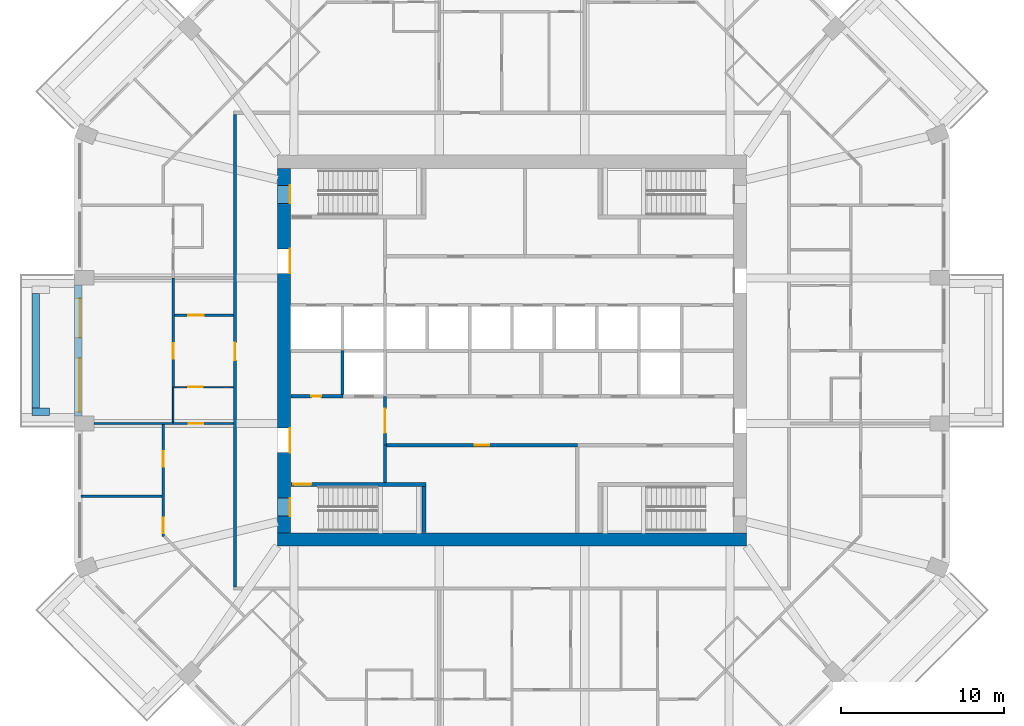
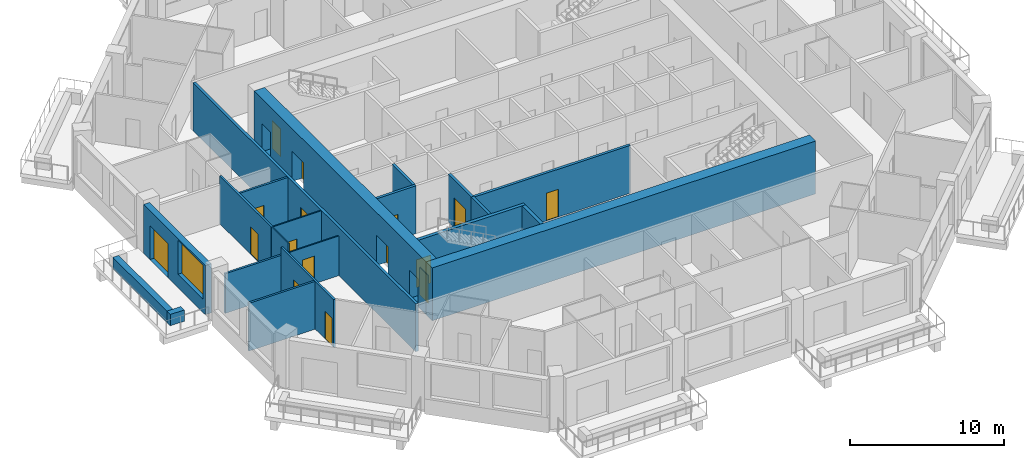
# One storey, part 4 of 13: 21 walls, 16 doors, 1 window, 17 openings.
"""IFC4 building model written with IfcOpenShell, lengths in metres."""

import ifcopenshell
import ifcopenshell.guid

model = None  # the IFC model being written
_history = None  # IfcOwnerHistory: only IFC2X3 demands one
_inside = {}  # id of a spatial element -> (the spatial element, [elements in it])
_under = {}  # id of a project, library or spatial element -> (it, [spatial elements below it])
_declared = {}  # id of a project -> (the project, [libraries it declares])
_typed = {}  # id of a type object -> (the type object, [elements of that type])
_made_of = {}  # id of a material, layer set ... -> (it, [elements and type objects made of it])


def new_model(schema):
    """Start an empty IFC model of exactly this schema.

    Asked for "IFC4X3", IfcOpenShell would pick the latest addendum, in which some entities
    have other attributes; the version numbers below select the first issue.
    IFC2X3 requires an IfcOwnerHistory on every rooted entity: one is made here for all.
    """
    global model, _history
    if schema == "IFC4X3":
        model = ifcopenshell.file(schema_version=(4, 3, 0, 0))
    else:
        model = ifcopenshell.file(schema=schema)
    _inside.clear()
    _under.clear()
    _declared.clear()
    _typed.clear()
    _made_of.clear()
    _history = None
    if model.schema == "IFC2X3":
        org = make("IfcOrganization", Name="unknown")
        user = make(
            "IfcPersonAndOrganization",
            ThePerson=make("IfcPerson", FamilyName="unknown"),
            TheOrganization=org,
        )
        app = make(
            "IfcApplication",
            ApplicationDeveloper=org,
            Version="unknown",
            ApplicationFullName="unknown",
            ApplicationIdentifier="unknown",
        )
        _history = make(
            "IfcOwnerHistory",
            OwningUser=user,
            OwningApplication=app,
            ChangeAction="ADDED",
            CreationDate=0,
        )
    return model


def make(cls, **values):
    """One entity of the class cls with the attributes given. An attribute that is None is left unset."""
    return model.create_entity(
        cls, **{name: value for name, value in values.items() if value is not None}
    )


def rooted(cls, **values):
    """An entity with a GlobalId (a new one), such as an element, a storey or a relation."""
    return make(cls, GlobalId=ifcopenshell.guid.new(), OwnerHistory=_history, **values)


def si_unit(unit_type, name, prefix=None):
    """IfcSIUnit, for example si_unit("LENGTHUNIT", "METRE", prefix="MILLI")."""
    return make("IfcSIUnit", UnitType=unit_type, Prefix=prefix, Name=name)


def assignment(units):
    """IfcUnitAssignment: the units of a project."""
    return None if units is None else make("IfcUnitAssignment", Units=units)


def point(xyz):
    """IfcCartesianPoint."""
    return None if xyz is None else make("IfcCartesianPoint", Coordinates=xyz)


def direction(xyz):
    """IfcDirection."""
    return None if xyz is None else make("IfcDirection", DirectionRatios=xyz)


def frame(location, z_axis=None, x_axis=None):
    """IfcAxis2Placement3D, a coordinate frame: its origin and axes. An axis left out is left unset."""
    return make(
        "IfcAxis2Placement3D",
        Location=point(location),
        Axis=direction(z_axis),
        RefDirection=direction(x_axis),
    )


def frame_2d(location, x_axis=None):
    """IfcAxis2Placement2D, a coordinate frame in the plane: its origin and x axis."""
    return make(
        "IfcAxis2Placement2D", Location=point(location), RefDirection=direction(x_axis)
    )


def origin():
    """The frame at (0, 0, 0) with its axes left unset."""
    return frame((0.0, 0.0, 0.0))


def place(relative_to, where):
    """IfcLocalPlacement: puts the frame where relative to a parent placement (None: the world)."""
    return make(
        "IfcLocalPlacement", PlacementRelTo=relative_to, RelativePlacement=where
    )


def context(
    kind, dimensions, precision=None, world=None, true_north=None, identifier=None
):
    """IfcGeometricRepresentationContext, for example the 3D "Model" context."""
    return make(
        "IfcGeometricRepresentationContext",
        ContextIdentifier=identifier,
        ContextType=kind,
        CoordinateSpaceDimension=dimensions,
        Precision=precision,
        WorldCoordinateSystem=world,
        TrueNorth=true_north,
    )


def subcontext(parent, identifier, kind, view, scale=None):
    """IfcGeometricRepresentationSubContext, for example "Body" below "Model"."""
    return make(
        "IfcGeometricRepresentationSubContext",
        ContextIdentifier=identifier,
        ContextType=kind,
        ParentContext=parent,
        TargetScale=scale,
        TargetView=view,
    )


def project(units=None, contexts=None):
    """IfcProject with its units and contexts."""
    return rooted(
        "IfcProject",
        Name="project",
        RepresentationContexts=contexts,
        UnitsInContext=assignment(units),
    )


def spatial(cls, under=None, at=None, **own):
    """A site, building, storey or space (cls), placed at a placement, below another one or the project."""
    s = rooted(cls, ObjectPlacement=at, **own)
    if under is not None:
        _under.setdefault(under.id(), (under, []))[1].append(s)
    return s


def profile(cls, at=None, kind="AREA", **sizes):
    """A parametric profile (cls). Its sizes go by their IFC names, for example OverallWidth=200.0."""
    return make(cls, ProfileType=kind, Position=at, **sizes)


def rectangle(**sizes):
    """IfcRectangleProfileDef."""
    return profile("IfcRectangleProfileDef", **sizes)


def extrude(swept, where, along, depth):
    """IfcExtrudedAreaSolid: the profile swept, set in the frame where, extruded along a direction by depth."""
    return make(
        "IfcExtrudedAreaSolid",
        SweptArea=swept,
        Position=where,
        ExtrudedDirection=direction(along),
        Depth=depth,
    )


def shape(context_of_items, identifier, shape_type, items):
    """IfcShapeRepresentation: the items that make up one representation, for example the "Body"."""
    return make(
        "IfcShapeRepresentation",
        ContextOfItems=context_of_items,
        RepresentationIdentifier=identifier,
        RepresentationType=shape_type,
        Items=items,
    )


def material(Name=None, Category=None):
    """IfcMaterial."""
    return make("IfcMaterial", Name=Name, Category=Category)


def layer(
    of_material, thickness, ventilated=None, Name=None, Category=None, Priority=None
):
    """IfcMaterialLayer: one layer of a wall or slab, of a material (None: an air gap)."""
    return make(
        "IfcMaterialLayer",
        Material=of_material,
        LayerThickness=thickness,
        IsVentilated=ventilated,
        Name=Name,
        Category=Category,
        Priority=Priority,
    )


def layer_set(layers, Name=None):
    """IfcMaterialLayerSet."""
    return make("IfcMaterialLayerSet", MaterialLayers=layers, LayerSetName=Name)


def made_of(thing, what):
    """Note that an element or type object is made of a material, layer set ...; save() writes the relation."""
    if what is not None:
        _made_of.setdefault(what.id(), (what, []))[1].append(thing)
    return thing


def type_object(cls, material=None, **own):
    """A type object (cls), such as IfcWallType, which elements share."""
    return made_of(rooted(cls, **own), material)


def element(
    cls,
    number,
    at=None,
    inside=None,
    cuts=None,
    type_object=None,
    material=None,
    context=None,
    identifier="Body",
    shape_type=None,
    held_by="IfcProductDefinitionShape",
    body=None,
    shapes=None,
    **own,
):
    """One element of the class cls, such as IfcWall. Its Tag is "e" and its number.

    at: its placement. inside: the storey or other place that contains it. cuts: it is an
    opening in that element (IfcRelVoidsElement). A single representation is given by context,
    identifier, shape_type and body (its items); several are given by shapes. held_by: the class
    of the entity that holds the representations. save() writes the other relations.
    """
    e = rooted(cls, Tag="e%d" % number, ObjectPlacement=at, **own)
    if body is not None:
        shapes = [shape(context, identifier, shape_type, body)]
    if shapes is not None:
        e.Representation = make(held_by, Representations=shapes)
    if inside is not None:
        _inside.setdefault(inside.id(), (inside, []))[1].append(e)
    if cuts is not None:
        rooted(
            "IfcRelVoidsElement", RelatingBuildingElement=cuts, RelatedOpeningElement=e
        )
    if type_object is not None:
        _typed.setdefault(type_object.id(), (type_object, []))[1].append(e)
    return made_of(e, material)


def fill(opening, filler):
    """IfcRelFillsElement: the door or window that sits in an opening."""
    return rooted(
        "IfcRelFillsElement",
        RelatingOpeningElement=opening,
        RelatedBuildingElement=filler,
    )


def aggregate(whole, parts):
    """IfcRelAggregates: a whole, such as a stair, and the parts it consists of."""
    return rooted("IfcRelAggregates", RelatingObject=whole, RelatedObjects=parts)


def save(model, path):
    """Write the relations noted so far, then the file.

    IfcRelAggregates (storeys below a building ...), IfcRelContainedInSpatialStructure (elements
    in a storey), IfcRelDefinesByType, IfcRelAssociatesMaterial and IfcRelDeclares: one each for
    every whole, place, type object, material and project.
    """
    for whole, parts in _under.values():
        aggregate(whole, parts)
    for where, things in _inside.values():
        rooted(
            "IfcRelContainedInSpatialStructure",
            RelatedElements=things,
            RelatingStructure=where,
        )
    for kind, things in _typed.values():
        rooted("IfcRelDefinesByType", RelatedObjects=things, RelatingType=kind)
    for what, things in _made_of.values():
        rooted("IfcRelAssociatesMaterial", RelatedObjects=things, RelatingMaterial=what)
    for by, libraries in _declared.values():
        rooted("IfcRelDeclares", RelatingContext=by, RelatedDefinitions=libraries)
    model.write(path)


model = new_model("IFC4")

# Units and contexts
model_context = context("Model", 3, precision=1e-05, world=origin(), true_north=direction((0.0, 1.0)))
body_context = subcontext(model_context, "Body", "Model", "MODEL_VIEW")
ifc_project = project(units=[si_unit("LENGTHUNIT", "METRE"), si_unit("AREAUNIT", "SQUARE_METRE"), si_unit("VOLUMEUNIT", "CUBIC_METRE"), si_unit("PLANEANGLEUNIT", "RADIAN"), si_unit("MASSUNIT", "GRAM", prefix="KILO")], contexts=[model_context])

# Site, building, storey
site_placement = place(None, origin())
site = spatial("IfcSite", under=ifc_project, at=site_placement, CompositionType="ELEMENT")
building_placement = place(site_placement, origin())
building = spatial("IfcBuilding", under=site, at=building_placement, Name="Msitu Wima Residences", CompositionType="ELEMENT")
storey_placement = place(building_placement, frame((0.0, 0.0, 148.5)))
storey = spatial("IfcBuildingStorey", under=building, at=storey_placement, Name="L34", CompositionType="ELEMENT", Elevation=148.5)

# Walls
ifc_material_1 = material(Name="Facing brick")
ifc_layer_1 = layer(ifc_material_1, 0.06494140625, Name="Facing brick")
ifc_material_2 = material(Name="Concrete C40/50", Category="concrete")
ifc_layer_2 = layer(ifc_material_2, 0.156005859375, Name="Concrete C40/50")
ifc_material_3 = material(Name="Waterproofing membrane")
ifc_layer_3 = layer(ifc_material_3, 0.00390625, Name="Waterproofing membrane")
ifc_material_4 = material(Name="Planting soil and planting")
ifc_layer_4 = layer(ifc_material_4, 0.22509765625, Name="Planting soil and planting")
ifc_layer_set_1 = layer_set([ifc_layer_1, ifc_layer_2, ifc_layer_3, ifc_layer_4], Name="Concrete C40/50")
wall_type_1 = type_object("IfcWallType", Name="Balcony planter PLANTER PL450", PredefinedType="USERDEFINED", material=ifc_layer_set_1)
wall_1_placement = place(storey_placement, frame((-29.22509765625, 3.5185546875, 0.0), z_axis=(0.0, 0.0, 1.0), x_axis=(0.0, -1.0, 0.0)))
element("IfcWall", 1, at=wall_1_placement, inside=storey, type_object=wall_type_1, Name="Balcony planter W1 L34", ObjectType="PLANTER", PredefinedType="USERDEFINED", context=body_context, shape_type="SweptSolid", body=[
    extrude(rectangle(XDim=7.037109375, YDim=0.449951171875, at=frame_2d((3.5185546875, 0.0))), origin(), (0.0, 0.0, 1.0), 0.89990234375),
])
wall_2_placement = place(storey_placement, frame((-28.39990234375, -3.74365234375, 0.0), z_axis=(0.0, 0.0, 1.0), x_axis=(-1.0, 0.0, 0.0)))
element("IfcWall", 2, at=wall_2_placement, inside=storey, type_object=wall_type_1, Name="Balcony planter W1 L34", ObjectType="PLANTER", PredefinedType="USERDEFINED", context=body_context, shape_type="SweptSolid", body=[
    extrude(rectangle(XDim=1.050048828125, YDim=0.449951171875, at=frame_2d((0.52490234375, 0.0))), origin(), (0.0, 0.0, 1.0), 0.89990234375),
])

# Wall, openings, door, window
ifc_material_5 = material(Name="Brick (red buff mix)", Category="masonry")
ifc_layer_5 = layer(ifc_material_5, 0.449951171875)
ifc_layer_set_2 = layer_set([ifc_layer_5], Name="Brick (red buff mix)")
wall_type_2 = type_object("IfcWallType", Name="Brick infill wall BW450", PredefinedType="SOLIDWALL", material=ifc_layer_set_2)
wall_3_placement = place(storey_placement, frame((-26.625, 4.0185546875, 0.0), z_axis=(0.0, 0.0, 1.0), x_axis=(0.0, -1.0, 0.0)))
wall_3 = element("IfcWall", 3, at=wall_3_placement, inside=storey, type_object=wall_type_2, Name="Brick infill wall L34 W1", PredefinedType="SOLIDWALL", context=body_context, shape_type="SweptSolid", body=[
    extrude(rectangle(XDim=8.037109375, YDim=0.449951171875, at=frame_2d((4.0185546875, 0.0))), origin(), (0.0, 0.0, 1.0), 3.89990234375),
])
opening_1_placement = place(wall_3_placement, frame((0.809326171875, 0.0, 0.0)))
opening_1 = element("IfcOpeningElement", 4, at=opening_1_placement, cuts=wall_3, Name="Opening D34-35.010", PredefinedType="OPENING", context=body_context, shape_type="SweptSolid", body=[
    extrude(rectangle(XDim=2.39990234375, YDim=2.699951171875, at=frame_2d((1.199951171875, 1.35009765625))), frame((0.0, 0.23486328125, 0.0), z_axis=(0.0, -1.0, 0.0), x_axis=(1.0, 0.0, 0.0)), (0.0, 0.0, 1.0), 0.469970703125),
])
opening_2_placement = place(wall_3_placement, frame((4.46875, 0.0, 1.050048828125)))
opening_2 = element("IfcOpeningElement", 5, at=opening_2_placement, cuts=wall_3, Name="Opening W34-35.028", PredefinedType="OPENING", context=body_context, shape_type="SweptSolid", body=[
    extrude(rectangle(XDim=3.300048828125, YDim=2.699951171875, at=frame_2d((1.64990234375, 1.35009765625))), frame((0.0, 0.23486328125, 0.0), z_axis=(0.0, -1.0, 0.0), x_axis=(1.0, 0.0, 0.0)), (0.0, 0.0, 1.0), 0.469970703125),
])
ifc_material_6 = material(Name="Anodised aluminium, bronze finish, clear low-emissivity double glazing", Category="aluminium")
door_type_1 = type_object("IfcDoorType", Name="Balcony door D2400x2700", OperationType="SLIDING_TO_LEFT", PredefinedType="DOOR", material=ifc_material_6)
door_1_placement = place(opening_1_placement, origin())
door_1 = element("IfcDoor", 6, at=door_1_placement, inside=storey, type_object=door_type_1, Name="Balcony door L34 W1", OperationType="SINGLE_SWING_LEFT", OverallHeight=2.699951171875, OverallWidth=2.39990234375, PredefinedType="DOOR", context=body_context, shape_type="SweptSolid", body=[
    extrude(rectangle(XDim=2.39990234375, YDim=2.699951171875, at=frame_2d((1.199951171875, 1.35009765625))), frame((0.0, 0.1298828125, 0.0), z_axis=(0.0, -1.0, 0.0), x_axis=(1.0, 0.0, 0.0)), (0.0, 0.0, 1.0), 0.050048828125),
])
fill(opening_1, door_1)
window_type = type_object("IfcWindowType", Name="Window W3300x2700", PartitioningType="DOUBLE_PANEL_VERTICAL", PredefinedType="WINDOW", material=ifc_material_6)
window_placement = place(opening_2_placement, origin())
window = element("IfcWindow", 7, at=window_placement, inside=storey, type_object=window_type, Name="Window L34 W1.2", OverallHeight=2.699951171875, OverallWidth=3.300048828125, PartitioningType="SINGLE_PANEL", PredefinedType="WINDOW", context=body_context, shape_type="SweptSolid", body=[
    extrude(rectangle(XDim=3.300048828125, YDim=2.699951171875, at=frame_2d((1.64990234375, 1.35009765625))), frame((0.0, 0.135009765625, 0.0), z_axis=(0.0, -1.0, 0.0), x_axis=(1.0, 0.0, 0.0)), (0.0, 0.0, 1.0), 0.06005859375),
])
fill(opening_2, window)

# Wall
ifc_material_7 = material(Name="Concrete C70/85", Category="concrete")
ifc_layer_6 = layer(ifc_material_7, 0.800048828125)
ifc_layer_set_3 = layer_set([ifc_layer_6], Name="Concrete C70/85")
wall_type_3 = type_object("IfcWallType", Name="Core wall CW800 C70/85", PredefinedType="SHEAR", material=ifc_layer_set_3)
wall_4_placement = place(storey_placement, frame((-14.39990234375, -11.60009765625, 0.0), z_axis=(0.0, 0.0, 1.0), x_axis=(1.0, 0.0, 0.0)))
element("IfcWall", 8, at=wall_4_placement, inside=storey, type_object=wall_type_3, Name="Core wall", PredefinedType="SHEAR", context=body_context, shape_type="SweptSolid", body=[
    extrude(rectangle(XDim=28.7998046875, YDim=0.800048828125, at=frame_2d((14.39990234375, 0.0))), origin(), (0.0, 0.0, 1.0), 4.199951171875),
])

# Wall, openings, doors
wall_5_placement = place(storey_placement, frame((-14.0, -11.199951171875, 0.0), z_axis=(0.0, 0.0, 1.0), x_axis=(0.0, 1.0, 0.0)))
wall_5 = element("IfcWall", 9, at=wall_5_placement, inside=storey, type_object=wall_type_3, Name="Core wall", PredefinedType="SHEAR", context=body_context, shape_type="SweptSolid", body=[
    extrude(rectangle(XDim=22.39990234375, YDim=0.800048828125, at=frame_2d((11.199951171875, 0.0))), origin(), (0.0, 0.0, 1.0), 4.199951171875),
])
opening_3_placement = place(wall_5_placement, frame((20.25, 0.0, 0.0)))
opening_3 = element("IfcOpeningElement", 10, at=opening_3_placement, cuts=wall_5, Name="Opening D34-35.033", PredefinedType="OPENING", context=body_context, shape_type="SweptSolid", body=[
    extrude(rectangle(XDim=1.10009765625, YDim=2.199951171875, at=frame_2d((0.550048828125, 1.10009765625))), frame((0.0, 0.409912109375, 0.0), z_axis=(0.0, -1.0, 0.0), x_axis=(1.0, 0.0, 0.0)), (0.0, 0.0, 1.0), 0.820068359375),
])
opening_4_placement = place(wall_5_placement, frame((1.050048828125, 0.0, 0.0)))
opening_4 = element("IfcOpeningElement", 11, at=opening_4_placement, cuts=wall_5, Name="Opening D34-35.035", PredefinedType="OPENING", context=body_context, shape_type="SweptSolid", body=[
    extrude(rectangle(XDim=1.10009765625, YDim=2.199951171875, at=frame_2d((0.550048828125, 1.10009765625))), frame((0.0, 0.409912109375, 0.0), z_axis=(0.0, -1.0, 0.0), x_axis=(1.0, 0.0, 0.0)), (0.0, 0.0, 1.0), 0.820068359375),
])
opening_5_placement = place(wall_5_placement, frame((15.949951171875, 0.0, 0.0)))
opening_5 = element("IfcOpeningElement", 12, at=opening_5_placement, cuts=wall_5, Name="Opening D34-35.016", PredefinedType="OPENING", context=body_context, shape_type="SweptSolid", body=[
    extrude(rectangle(XDim=1.5, YDim=2.39990234375, at=frame_2d((0.75, 1.199951171875))), frame((0.0, 0.409912109375, 0.0), z_axis=(0.0, -1.0, 0.0), x_axis=(1.0, 0.0, 0.0)), (0.0, 0.0, 1.0), 0.820068359375),
])
opening_6_placement = place(wall_5_placement, frame((4.949951171875, 0.0, 0.0)))
opening_6 = element("IfcOpeningElement", 13, at=opening_6_placement, cuts=wall_5, Name="Opening D34-35.018", PredefinedType="OPENING", context=body_context, shape_type="SweptSolid", body=[
    extrude(rectangle(XDim=1.5, YDim=2.39990234375, at=frame_2d((0.75, 1.199951171875))), frame((0.0, 0.409912109375, 0.0), z_axis=(0.0, -1.0, 0.0), x_axis=(1.0, 0.0, 0.0)), (0.0, 0.0, 1.0), 0.820068359375),
])
ifc_material_8 = material(Name="Steel framed glazed door, fire resisting", Category="steel")
door_type_2 = type_object("IfcDoorType", Name="Lobby door D07 1500x2400", OperationType="DOUBLE_DOOR_SINGLE_SWING", PredefinedType="DOOR", material=ifc_material_8)
door_2_placement = place(opening_5_placement, origin())
door_2 = element("IfcDoor", 14, at=door_2_placement, inside=storey, type_object=door_type_2, Name="Lobby door", OperationType="DOUBLE_DOOR_SINGLE_SWING", OverallHeight=2.39990234375, OverallWidth=1.5, PredefinedType="DOOR", context=body_context, shape_type="SweptSolid", body=[
    extrude(rectangle(XDim=1.5, YDim=2.39990234375, at=frame_2d((0.75, 1.199951171875))), frame((0.0, -0.34521484375, 0.0), z_axis=(0.0, -1.0, 0.0), x_axis=(1.0, 0.0, 0.0)), (0.0, 0.0, 1.0), 0.050048828125),
])
fill(opening_5, door_2)
door_3_placement = place(opening_6_placement, origin())
door_3 = element("IfcDoor", 15, at=door_3_placement, inside=storey, type_object=door_type_2, Name="Lobby door", OperationType="DOUBLE_DOOR_SINGLE_SWING", OverallHeight=2.39990234375, OverallWidth=1.5, PredefinedType="DOOR", context=body_context, shape_type="SweptSolid", body=[
    extrude(rectangle(XDim=1.5, YDim=2.39990234375, at=frame_2d((0.75, 1.199951171875))), frame((0.0, -0.34521484375, 0.0), z_axis=(0.0, -1.0, 0.0), x_axis=(1.0, 0.0, 0.0)), (0.0, 0.0, 1.0), 0.050048828125),
])
fill(opening_6, door_3)
ifc_material_9 = material(Name="Steel door, fire resisting, panic bar", Category="steel")
door_type_3 = type_object("IfcDoorType", Name="Stair door D06 1100x2200", OperationType="SINGLE_SWING_LEFT", PredefinedType="DOOR", material=ifc_material_9)
door_4_placement = place(opening_3_placement, origin())
door_4 = element("IfcDoor", 16, at=door_4_placement, inside=storey, type_object=door_type_3, Name="Stair door", OperationType="SINGLE_SWING_RIGHT", OverallHeight=2.199951171875, OverallWidth=1.10009765625, PredefinedType="DOOR", context=body_context, shape_type="SweptSolid", body=[
    extrude(rectangle(XDim=1.10009765625, YDim=2.199951171875, at=frame_2d((0.550048828125, 1.10009765625))), frame((0.0, -0.34521484375, 0.0), z_axis=(0.0, -1.0, 0.0), x_axis=(1.0, 0.0, 0.0)), (0.0, 0.0, 1.0), 0.050048828125),
])
fill(opening_3, door_4)
door_5_placement = place(opening_4_placement, origin())
door_5 = element("IfcDoor", 17, at=door_5_placement, inside=storey, type_object=door_type_3, Name="Stair door", OperationType="SINGLE_SWING_LEFT", OverallHeight=2.199951171875, OverallWidth=1.10009765625, PredefinedType="DOOR", context=body_context, shape_type="SweptSolid", body=[
    extrude(rectangle(XDim=1.10009765625, YDim=2.199951171875, at=frame_2d((0.550048828125, 1.10009765625))), frame((0.0, -0.34521484375, 0.0), z_axis=(0.0, -1.0, 0.0), x_axis=(1.0, 0.0, 0.0)), (0.0, 0.0, 1.0), 0.050048828125),
])
fill(opening_4, door_5)

# Wall, opening, door
ifc_material_10 = material(Name="Plaster")
ifc_layer_7 = layer(ifc_material_10, 0.011962890625, Name="Plaster")
ifc_material_11 = material(Name="Concrete blockwork", Category="masonry")
ifc_layer_8 = layer(ifc_material_11, 0.176025390625, Name="Concrete blockwork")
ifc_layer_9 = layer(ifc_material_10, 0.011962890625, Name="Plaster")
ifc_layer_set_4 = layer_set([ifc_layer_7, ifc_layer_8, ifc_layer_9], Name="Concrete blockwork")
wall_type_4 = type_object("IfcWallType", Name="Corridor wall FW200", PredefinedType="PARTITIONING", material=ifc_layer_set_4)
wall_6_placement = place(storey_placement, frame((-17.0, -14.5, 0.0), z_axis=(0.0, 0.0, 1.0), x_axis=(0.0, 1.0, 0.0)))
wall_6 = element("IfcWall", 18, at=wall_6_placement, inside=storey, type_object=wall_type_4, Name="Corridor wall", PredefinedType="PARTITIONING", context=body_context, shape_type="SweptSolid", body=[
    extrude(rectangle(XDim=29.0, YDim=0.199951171875, at=frame_2d((14.5, 0.0))), origin(), (0.0, 0.0, 1.0), 3.798095703125),
])
opening_7_placement = place(wall_6_placement, frame((13.89990234375, 0.0, 0.0)))
opening_7 = element("IfcOpeningElement", 19, at=opening_7_placement, cuts=wall_6, Name="Opening D34-35.013", PredefinedType="OPENING", context=body_context, shape_type="SweptSolid", body=[
    extrude(rectangle(XDim=1.10009765625, YDim=2.39990234375, at=frame_2d((0.550048828125, 1.199951171875))), frame((0.0, 0.10986328125, 0.0), z_axis=(0.0, -1.0, 0.0), x_axis=(1.0, 0.0, 0.0)), (0.0, 0.0, 1.0), 0.219970703125),
])
ifc_material_12 = material(Name="Timber flush door, fire resisting, self-closing", Category="wood")
door_type_4 = type_object("IfcDoorType", Name="Flat entrance door D01 1100x2400", OperationType="SINGLE_SWING_LEFT", PredefinedType="DOOR", material=ifc_material_12)
door_6_placement = place(opening_7_placement, origin())
door_6 = element("IfcDoor", 20, at=door_6_placement, inside=storey, type_object=door_type_4, Name="Flat entrance door", OperationType="SINGLE_SWING_LEFT", OverallHeight=2.39990234375, OverallWidth=1.10009765625, PredefinedType="DOOR", context=body_context, shape_type="SweptSolid", body=[
    extrude(rectangle(XDim=1.10009765625, YDim=2.39990234375, at=frame_2d((0.550048828125, 1.199951171875))), frame((0.0, 0.02490234375, 0.0), z_axis=(0.0, -1.0, 0.0), x_axis=(1.0, 0.0, 0.0)), (0.0, 0.0, 1.0), 0.050048828125),
])
fill(opening_7, door_6)

wall_7_placement = place(storey_placement, frame((-7.800048828125, -5.800048828125, 0.0), z_axis=(0.0, 0.0, 1.0), x_axis=(0.0, 1.0, 0.0)))
wall_7 = element("IfcWall", 21, at=wall_7_placement, inside=storey, type_object=wall_type_4, Name="Corridor wall", PredefinedType="PARTITIONING", context=body_context, shape_type="SweptSolid", body=[
    extrude(rectangle(XDim=3.0, YDim=0.199951171875, at=frame_2d((1.5, 0.0))), origin(), (0.0, 0.0, 1.0), 3.798095703125),
])
opening_8_placement = place(wall_7_placement, frame((0.75, 0.0, 0.0)))
opening_8 = element("IfcOpeningElement", 22, at=opening_8_placement, cuts=wall_7, Name="Opening D34-35.019", PredefinedType="OPENING", context=body_context, shape_type="SweptSolid", body=[
    extrude(rectangle(XDim=1.5, YDim=2.39990234375, at=frame_2d((0.75, 1.199951171875))), frame((0.0, 0.10986328125, 0.0), z_axis=(0.0, -1.0, 0.0), x_axis=(1.0, 0.0, 0.0)), (0.0, 0.0, 1.0), 0.219970703125),
])
door_7_placement = place(opening_8_placement, origin())
door_7 = element("IfcDoor", 23, at=door_7_placement, inside=storey, type_object=door_type_2, Name="Lobby door", OperationType="DOUBLE_DOOR_SINGLE_SWING", OverallHeight=2.39990234375, OverallWidth=1.5, PredefinedType="DOOR", context=body_context, shape_type="SweptSolid", body=[
    extrude(rectangle(XDim=1.5, YDim=2.39990234375, at=frame_2d((0.75, 1.199951171875))), frame((0.0, 0.02490234375, 0.0), z_axis=(0.0, -1.0, 0.0), x_axis=(1.0, 0.0, 0.0)), (0.0, 0.0, 1.0), 0.050048828125),
])
fill(opening_8, door_7)

# Walls
ifc_layer_10 = layer(ifc_material_10, 0.011962890625, Name="Plaster")
ifc_layer_11 = layer(ifc_material_11, 0.1259765625, Name="Concrete blockwork")
ifc_layer_12 = layer(ifc_material_10, 0.011962890625, Name="Plaster")
ifc_layer_set_5 = layer_set([ifc_layer_10, ifc_layer_11, ifc_layer_12], Name="Concrete blockwork")
wall_type_5 = type_object("IfcWallType", Name="Partition PW150", PredefinedType="PARTITIONING", material=ifc_layer_set_5)
wall_8_placement = place(storey_placement, frame((-26.455078125, -8.937255859375, 0.0), z_axis=(0.0, 0.0, 1.0), x_axis=(1.0, 0.0, 0.0)))
element("IfcWall", 24, at=wall_8_placement, inside=storey, type_object=wall_type_5, Name="Partition", PredefinedType="PARTITIONING", context=body_context, shape_type="SweptSolid", body=[
    extrude(rectangle(XDim=4.97998046875, YDim=0.14990234375, at=frame_2d((2.489990234375, 0.0))), origin(), (0.0, 0.0, 1.0), 3.798095703125),
])
wall_9_placement = place(storey_placement, frame((-25.64990234375, -4.46875, 0.0), z_axis=(0.0, 0.0, 1.0), x_axis=(1.0, 0.0, 0.0)))
element("IfcWall", 25, at=wall_9_placement, inside=storey, type_object=wall_type_5, Name="Partition", PredefinedType="PARTITIONING", context=body_context, shape_type="SweptSolid", body=[
    extrude(rectangle(XDim=4.849853515625, YDim=0.14990234375, at=frame_2d((2.4248046875, 0.0))), origin(), (0.0, 0.0, 1.0), 3.14990234375),
])

# Wall, openings, doors
wall_10_placement = place(storey_placement, frame((-21.39990234375, -11.409912109375, 0.0), z_axis=(0.0, 0.0, 1.0), x_axis=(0.0, 1.0, 0.0)))
wall_10 = element("IfcWall", 26, at=wall_10_placement, inside=storey, type_object=wall_type_5, Name="Partition", PredefinedType="PARTITIONING", context=body_context, shape_type="SweptSolid", body=[
    extrude(rectangle(XDim=6.8662109375, YDim=0.14990234375, at=frame_2d((3.43310546875, 0.0))), origin(), (0.0, 0.0, 1.0), 3.798095703125),
])
opening_9_placement = place(wall_10_placement, frame((4.300048828125, 0.0, 0.0)))
opening_9 = element("IfcOpeningElement", 27, at=opening_9_placement, cuts=wall_10, Name="Opening D34-35.063", PredefinedType="OPENING", context=body_context, shape_type="SweptSolid", body=[
    extrude(rectangle(XDim=0.949951171875, YDim=2.199951171875, at=frame_2d((0.47509765625, 1.10009765625))), frame((0.0, 0.0849609375, 0.0), z_axis=(0.0, -1.0, 0.0), x_axis=(1.0, 0.0, 0.0)), (0.0, 0.0, 1.0), 0.169921875),
])
opening_10_placement = place(wall_10_placement, frame((0.199951171875, 0.0, 0.0)))
opening_10 = element("IfcOpeningElement", 28, at=opening_10_placement, cuts=wall_10, Name="Opening D34-35.070", PredefinedType="OPENING", context=body_context, shape_type="SweptSolid", body=[
    extrude(rectangle(XDim=0.949951171875, YDim=2.199951171875, at=frame_2d((0.47509765625, 1.10009765625))), frame((0.0, 0.0849609375, 0.0), z_axis=(0.0, -1.0, 0.0), x_axis=(1.0, 0.0, 0.0)), (0.0, 0.0, 1.0), 0.169921875),
])
ifc_material_13 = material(Name="Timber flush door", Category="wood")
door_type_5 = type_object("IfcDoorType", Name="Room door D12 950x2200", OperationType="SINGLE_SWING_LEFT", PredefinedType="DOOR", material=ifc_material_13)
door_8_placement = place(opening_9_placement, origin())
door_8 = element("IfcDoor", 29, at=door_8_placement, inside=storey, type_object=door_type_5, Name="Room door", OperationType="SINGLE_SWING_RIGHT", OverallHeight=2.199951171875, OverallWidth=0.949951171875, PredefinedType="DOOR", context=body_context, shape_type="SweptSolid", body=[
    extrude(rectangle(XDim=0.949951171875, YDim=2.199951171875, at=frame_2d((0.47509765625, 1.10009765625))), frame((0.0, 0.02490234375, 0.0), z_axis=(0.0, -1.0, 0.0), x_axis=(1.0, 0.0, 0.0)), (0.0, 0.0, 1.0), 0.050048828125),
])
fill(opening_9, door_8)
door_9_placement = place(opening_10_placement, origin())
door_9 = element("IfcDoor", 30, at=door_9_placement, inside=storey, type_object=door_type_5, Name="Room door", OperationType="SINGLE_SWING_RIGHT", OverallHeight=2.199951171875, OverallWidth=0.949951171875, PredefinedType="DOOR", context=body_context, shape_type="SweptSolid", body=[
    extrude(rectangle(XDim=0.949951171875, YDim=2.199951171875, at=frame_2d((0.47509765625, 1.10009765625))), frame((0.0, 0.02490234375, 0.0), z_axis=(0.0, -1.0, 0.0), x_axis=(1.0, 0.0, 0.0)), (0.0, 0.0, 1.0), 0.050048828125),
])
fill(opening_10, door_9)

# Wall, opening, door
wall_11_placement = place(storey_placement, frame((-20.800048828125, -2.25146484375, 0.0), z_axis=(0.0, 0.0, 1.0), x_axis=(0.0, 1.0, 0.0)))
wall_11 = element("IfcWall", 31, at=wall_11_placement, inside=storey, type_object=wall_type_5, Name="Partition", PredefinedType="PARTITIONING", context=body_context, shape_type="SweptSolid", body=[
    extrude(rectangle(XDim=6.72021484375, YDim=0.14990234375, at=frame_2d((3.360107421875, 0.0))), origin(), (0.0, 0.0, 1.0), 3.798095703125),
])
opening_11_placement = place(wall_11_placement, frame((1.75, 0.0, 0.0)))
opening_11 = element("IfcOpeningElement", 32, at=opening_11_placement, cuts=wall_11, Name="Opening D34-35.058", PredefinedType="OPENING", context=body_context, shape_type="SweptSolid", body=[
    extrude(rectangle(XDim=0.949951171875, YDim=2.199951171875, at=frame_2d((0.47509765625, 1.10009765625))), frame((0.0, 0.0849609375, 0.0), z_axis=(0.0, -1.0, 0.0), x_axis=(1.0, 0.0, 0.0)), (0.0, 0.0, 1.0), 0.169921875),
])
door_10_placement = place(opening_11_placement, origin())
door_10 = element("IfcDoor", 33, at=door_10_placement, inside=storey, type_object=door_type_5, Name="Room door", OperationType="SINGLE_SWING_LEFT", OverallHeight=2.199951171875, OverallWidth=0.949951171875, PredefinedType="DOOR", context=body_context, shape_type="SweptSolid", body=[
    extrude(rectangle(XDim=0.949951171875, YDim=2.199951171875, at=frame_2d((0.47509765625, 1.10009765625))), frame((0.0, 0.02490234375, 0.0), z_axis=(0.0, -1.0, 0.0), x_axis=(1.0, 0.0, 0.0)), (0.0, 0.0, 1.0), 0.050048828125),
])
fill(opening_11, door_10)

wall_12_placement = place(storey_placement, frame((-20.72509765625, 2.168701171875, 0.0), z_axis=(0.0, 0.0, 1.0), x_axis=(1.0, 0.0, 0.0)))
wall_12 = element("IfcWall", 34, at=wall_12_placement, inside=storey, type_object=wall_type_5, Name="Partition", PredefinedType="PARTITIONING", context=body_context, shape_type="SweptSolid", body=[
    extrude(rectangle(XDim=3.625, YDim=0.14990234375, at=frame_2d((1.8125, 0.0))), origin(), (0.0, 0.0, 1.0), 3.798095703125),
])
opening_12_placement = place(wall_12_placement, frame((0.85009765625, 0.0, 0.0)))
opening_12 = element("IfcOpeningElement", 35, at=opening_12_placement, cuts=wall_12, Name="Opening D34-35.060", PredefinedType="OPENING", context=body_context, shape_type="SweptSolid", body=[
    extrude(rectangle(XDim=0.949951171875, YDim=2.199951171875, at=frame_2d((0.47509765625, 1.10009765625))), frame((0.0, 0.0849609375, 0.0), z_axis=(0.0, -1.0, 0.0), x_axis=(1.0, 0.0, 0.0)), (0.0, 0.0, 1.0), 0.169921875),
])
door_11_placement = place(opening_12_placement, origin())
door_11 = element("IfcDoor", 36, at=door_11_placement, inside=storey, type_object=door_type_5, Name="Room door", OperationType="SINGLE_SWING_LEFT", OverallHeight=2.199951171875, OverallWidth=0.949951171875, PredefinedType="DOOR", context=body_context, shape_type="SweptSolid", body=[
    extrude(rectangle(XDim=0.949951171875, YDim=2.199951171875, at=frame_2d((0.47509765625, 1.10009765625))), frame((0.0, 0.02490234375, 0.0), z_axis=(0.0, -1.0, 0.0), x_axis=(1.0, 0.0, 0.0)), (0.0, 0.0, 1.0), 0.050048828125),
])
fill(opening_12, door_11)

ifc_layer_13 = layer(ifc_material_10, 0.011962890625, Name="Plaster")
ifc_material_14 = material(Name="Reinforced concrete blockwork", Category="masonry")
ifc_layer_14 = layer(ifc_material_14, 0.176025390625, Name="Reinforced concrete blockwork")
ifc_layer_15 = layer(ifc_material_10, 0.011962890625, Name="Plaster")
ifc_layer_set_6 = layer_set([ifc_layer_13, ifc_layer_14, ifc_layer_15], Name="Reinforced concrete blockwork")
wall_type_6 = type_object("IfcWallType", Name="Plant and riser wall PL200", PredefinedType="PARTITIONING", material=ifc_layer_set_6)
wall_13_placement = place(storey_placement, frame((-13.570068359375, -2.800048828125, 0.0), z_axis=(0.0, 0.0, 1.0), x_axis=(1.0, 0.0, 0.0)))
wall_13 = element("IfcWall", 37, at=wall_13_placement, inside=storey, type_object=wall_type_6, Name="Plant and riser wall", PredefinedType="PARTITIONING", context=body_context, shape_type="SweptSolid", body=[
    extrude(rectangle(XDim=3.190185546875, YDim=0.199951171875, at=frame_2d((1.59521484375, 0.0))), origin(), (0.0, 0.0, 1.0), 3.798095703125),
])
opening_13_placement = place(wall_13_placement, frame((1.25, 0.0, 0.0)))
opening_13 = element("IfcOpeningElement", 38, at=opening_13_placement, cuts=wall_13, Name="Opening D34-35.028", PredefinedType="OPENING", context=body_context, shape_type="SweptSolid", body=[
    extrude(rectangle(XDim=0.60009765625, YDim=2.0, at=frame_2d((0.300048828125, 1.0))), frame((0.0, 0.10986328125, 0.0), z_axis=(0.0, -1.0, 0.0), x_axis=(1.0, 0.0, 0.0)), (0.0, 0.0, 1.0), 0.219970703125),
])
ifc_material_15 = material(Name="Steel access door, fire resisting", Category="steel")
door_type_6 = type_object("IfcDoorType", Name="Riser access door D08 600x2000", OperationType="SINGLE_SWING_LEFT", PredefinedType="DOOR", material=ifc_material_15)
door_12_placement = place(opening_13_placement, origin())
door_12 = element("IfcDoor", 39, at=door_12_placement, inside=storey, type_object=door_type_6, Name="Riser access door", OperationType="SINGLE_SWING_RIGHT", OverallHeight=2.0, OverallWidth=0.60009765625, PredefinedType="DOOR", context=body_context, shape_type="SweptSolid", body=[
    extrude(rectangle(XDim=0.60009765625, YDim=2.0, at=frame_2d((0.300048828125, 1.0))), frame((0.0, 0.02490234375, 0.0), z_axis=(0.0, -1.0, 0.0), x_axis=(1.0, 0.0, 0.0)), (0.0, 0.0, 1.0), 0.050048828125),
])
fill(opening_13, door_12)

# Wall
wall_14_placement = place(storey_placement, frame((-7.800048828125, -8.074951171875, 0.0), z_axis=(0.0, 0.0, 1.0), x_axis=(0.0, 1.0, 0.0)))
element("IfcWall", 40, at=wall_14_placement, inside=storey, type_object=wall_type_6, Name="Plant and riser wall", PredefinedType="PARTITIONING", context=body_context, shape_type="SweptSolid", body=[
    extrude(rectangle(XDim=2.27490234375, YDim=0.199951171875, at=frame_2d((1.137451171875, 0.0))), origin(), (0.0, 0.0, 1.0), 3.798095703125),
])

# Wall, opening, door
wall_15_placement = place(storey_placement, frame((-7.699951171875, -5.800048828125, 0.0), z_axis=(0.0, 0.0, 1.0), x_axis=(1.0, 0.0, 0.0)))
wall_15 = element("IfcWall", 41, at=wall_15_placement, inside=storey, type_object=wall_type_6, Name="Plant and riser wall", PredefinedType="PARTITIONING", context=body_context, shape_type="SweptSolid", body=[
    extrude(rectangle(XDim=11.719970703125, YDim=0.199951171875, at=frame_2d((5.85986328125, 0.0))), origin(), (0.0, 0.0, 1.0), 3.798095703125),
])
opening_14_placement = place(wall_15_placement, frame((5.39990234375, 0.0, 0.0)))
opening_14 = element("IfcOpeningElement", 42, at=opening_14_placement, cuts=wall_15, Name="Opening D34-35.023", PredefinedType="OPENING", context=body_context, shape_type="SweptSolid", body=[
    extrude(rectangle(XDim=0.89990234375, YDim=2.199951171875, at=frame_2d((0.449951171875, 1.10009765625))), frame((0.0, 0.10986328125, 0.0), z_axis=(0.0, -1.0, 0.0), x_axis=(1.0, 0.0, 0.0)), (0.0, 0.0, 1.0), 0.219970703125),
])
door_type_7 = type_object("IfcDoorType", Name="Service door D05 900x2200", OperationType="SINGLE_SWING_LEFT", PredefinedType="DOOR", material=ifc_material_13)
door_13_placement = place(opening_14_placement, origin())
door_13 = element("IfcDoor", 43, at=door_13_placement, inside=storey, type_object=door_type_7, Name="Service door", OperationType="SINGLE_SWING_RIGHT", OverallHeight=2.199951171875, OverallWidth=0.89990234375, PredefinedType="DOOR", context=body_context, shape_type="SweptSolid", body=[
    extrude(rectangle(XDim=0.89990234375, YDim=2.199951171875, at=frame_2d((0.449951171875, 1.10009765625))), frame((0.0, 0.02490234375, 0.0), z_axis=(0.0, -1.0, 0.0), x_axis=(1.0, 0.0, 0.0)), (0.0, 0.0, 1.0), 0.050048828125),
])
fill(opening_14, door_13)

# Wall
ifc_material_16 = material(Name="Fire-rated board")
ifc_layer_16 = layer(ifc_material_16, 0.02490234375, Name="Fire-rated board")
ifc_material_17 = material(Name="Light-gauge stud framing with mineral wool")
ifc_layer_17 = layer(ifc_material_17, 0.14990234375, Name="Light-gauge stud framing with mineral wool")
ifc_layer_18 = layer(ifc_material_16, 0.02490234375, Name="Fire-rated board")
ifc_layer_set_7 = layer_set([ifc_layer_16, ifc_layer_17, ifc_layer_18], Name="Light-gauge stud framing with mineral wool")
wall_type_7 = type_object("IfcWallType", Name="Shaft wall SH200", PredefinedType="PARTITIONING", material=ifc_layer_set_7)
wall_16_placement = place(storey_placement, frame((-10.39990234375, -2.699951171875, 0.0), z_axis=(0.0, 0.0, 1.0), x_axis=(0.0, 1.0, 0.0)))
element("IfcWall", 44, at=wall_16_placement, inside=storey, type_object=wall_type_7, Name="Shaft wall", PredefinedType="PARTITIONING", context=body_context, shape_type="SweptSolid", body=[
    extrude(rectangle(XDim=2.699951171875, YDim=0.199951171875, at=frame_2d((1.35009765625, 0.0))), origin(), (0.0, 0.0, 1.0), 3.798095703125),
])

# Wall, opening, door
ifc_material_18 = material(Name="Concrete C50/60", Category="concrete")
ifc_layer_19 = layer(ifc_material_18, 0.25)
ifc_layer_set_8 = layer_set([ifc_layer_19], Name="Concrete C50/60")
wall_type_8 = type_object("IfcWallType", Name="Stair enclosure wall SW250", PredefinedType="SHEAR", material=ifc_layer_set_8)
wall_17_placement = place(storey_placement, frame((-13.570068359375, -8.199951171875, 0.0), z_axis=(0.0, 0.0, 1.0), x_axis=(1.0, 0.0, 0.0)))
wall_17 = element("IfcWall", 45, at=wall_17_placement, inside=storey, type_object=wall_type_8, Name="Stair enclosure wall", PredefinedType="SHEAR", context=body_context, shape_type="SweptSolid", body=[
    extrude(rectangle(XDim=8.295166015625, YDim=0.25, at=frame_2d((4.1474609375, 0.0))), origin(), (0.0, 0.0, 1.0), 3.798095703125),
])
opening_15_placement = place(wall_17_placement, frame((0.14990234375, 0.0, 0.0)))
opening_15 = element("IfcOpeningElement", 46, at=opening_15_placement, cuts=wall_17, Name="Opening D34-35.036", PredefinedType="OPENING", context=body_context, shape_type="SweptSolid", body=[
    extrude(rectangle(XDim=1.10009765625, YDim=2.199951171875, at=frame_2d((0.550048828125, 1.10009765625))), frame((0.0, 0.135009765625, 0.0), z_axis=(0.0, -1.0, 0.0), x_axis=(1.0, 0.0, 0.0)), (0.0, 0.0, 1.0), 0.27001953125),
])
door_14_placement = place(opening_15_placement, origin())
door_14 = element("IfcDoor", 47, at=door_14_placement, inside=storey, type_object=door_type_3, Name="Stair door", OperationType="SINGLE_SWING_RIGHT", OverallHeight=2.199951171875, OverallWidth=1.10009765625, PredefinedType="DOOR", context=body_context, shape_type="SweptSolid", body=[
    extrude(rectangle(XDim=1.10009765625, YDim=2.199951171875, at=frame_2d((0.550048828125, 1.10009765625))), frame((0.0, 0.02490234375, 0.0), z_axis=(0.0, -1.0, 0.0), x_axis=(1.0, 0.0, 0.0)), (0.0, 0.0, 1.0), 0.050048828125),
])
fill(opening_15, door_14)

# Wall
wall_18_placement = place(storey_placement, frame((-5.39990234375, -11.169921875, 0.0), z_axis=(0.0, 0.0, 1.0), x_axis=(0.0, 1.0, 0.0)))
element("IfcWall", 48, at=wall_18_placement, inside=storey, type_object=wall_type_8, Name="Stair enclosure wall", PredefinedType="SHEAR", context=body_context, shape_type="SweptSolid", body=[
    extrude(rectangle(XDim=2.844970703125, YDim=0.25, at=frame_2d((1.42236328125, 0.0))), origin(), (0.0, 0.0, 1.0), 3.798095703125),
])

# Wall, opening, door
ifc_material_19 = material(Name="Ceramic tiles")
ifc_layer_20 = layer(ifc_material_19, 0.008056640625, Name="Ceramic tiles")
ifc_material_20 = material(Name="Moisture-resistant board")
ifc_layer_21 = layer(ifc_material_20, 0.012451171875, Name="Moisture-resistant board")
ifc_layer_22 = layer(ifc_material_17, 0.06689453125, Name="Light-gauge stud framing with mineral wool")
ifc_layer_23 = layer(ifc_material_20, 0.012451171875, Name="Moisture-resistant board")
ifc_layer_set_9 = layer_set([ifc_layer_20, ifc_layer_21, ifc_layer_22, ifc_layer_23], Name="Light-gauge stud framing with mineral wool")
wall_type_9 = type_object("IfcWallType", Name="Wet wall PW100", PredefinedType="PARTITIONING", material=ifc_layer_set_9)
wall_19_placement = place(storey_placement, frame((-20.800048828125, -4.46875, 0.0), z_axis=(0.0, 0.0, 1.0), x_axis=(1.0, 0.0, 0.0)))
wall_19 = element("IfcWall", 49, at=wall_19_placement, inside=storey, type_object=wall_type_9, Name="Wet wall", PredefinedType="PARTITIONING", context=body_context, shape_type="SweptSolid", body=[
    extrude(rectangle(XDim=3.699951171875, YDim=0.10009765625, at=frame_2d((1.85009765625, 0.0))), origin(), (0.0, 0.0, 1.0), 3.14990234375),
])
opening_16_placement = place(wall_19_placement, frame((0.949951171875, 0.0, 0.0)))
opening_16 = element("IfcOpeningElement", 50, at=opening_16_placement, cuts=wall_19, Name="Opening D34-35.062", PredefinedType="OPENING", context=body_context, shape_type="SweptSolid", body=[
    extrude(rectangle(XDim=0.89990234375, YDim=2.199951171875, at=frame_2d((0.449951171875, 1.10009765625))), frame((0.0, 0.06005859375, 0.0), z_axis=(0.0, -1.0, 0.0), x_axis=(1.0, 0.0, 0.0)), (0.0, 0.0, 1.0), 0.1201171875),
])
ifc_material_21 = material(Name="Timber flush door, moisture resistant", Category="wood")
door_type_8 = type_object("IfcDoorType", Name="Bathroom door D03 900x2200", OperationType="SINGLE_SWING_LEFT", PredefinedType="DOOR", material=ifc_material_21)
door_15_placement = place(opening_16_placement, origin())
door_15 = element("IfcDoor", 51, at=door_15_placement, inside=storey, type_object=door_type_8, Name="Bathroom door", OperationType="SINGLE_SWING_LEFT", OverallHeight=2.199951171875, OverallWidth=0.89990234375, PredefinedType="DOOR", context=body_context, shape_type="SweptSolid", body=[
    extrude(rectangle(XDim=0.89990234375, YDim=2.199951171875, at=frame_2d((0.449951171875, 1.10009765625))), frame((0.0, 0.02490234375, 0.0), z_axis=(0.0, -1.0, 0.0), x_axis=(1.0, 0.0, 0.0)), (0.0, 0.0, 1.0), 0.050048828125),
])
fill(opening_16, door_15)

# Wall
wall_20_placement = place(storey_placement, frame((-20.800048828125, -4.3935546875, 0.0), z_axis=(0.0, 0.0, 1.0), x_axis=(0.0, 1.0, 0.0)))
element("IfcWall", 52, at=wall_20_placement, inside=storey, type_object=wall_type_9, Name="Wet wall", PredefinedType="PARTITIONING", context=body_context, shape_type="SweptSolid", body=[
    extrude(rectangle(XDim=2.14208984375, YDim=0.10009765625, at=frame_2d((1.071044921875, 0.0))), origin(), (0.0, 0.0, 1.0), 3.798095703125),
])

# Wall, opening, door
wall_21_placement = place(storey_placement, frame((-20.72509765625, -2.2314453125, 0.0), z_axis=(0.0, 0.0, 1.0), x_axis=(1.0, 0.0, 0.0)))
wall_21 = element("IfcWall", 53, at=wall_21_placement, inside=storey, type_object=wall_type_9, Name="Wet wall", PredefinedType="PARTITIONING", context=body_context, shape_type="SweptSolid", body=[
    extrude(rectangle(XDim=3.625, YDim=0.10009765625, at=frame_2d((1.8125, 0.0))), origin(), (0.0, 0.0, 1.0), 3.798095703125),
])
opening_17_placement = place(wall_21_placement, frame((0.85009765625, 0.0, 0.0)))
opening_17 = element("IfcOpeningElement", 54, at=opening_17_placement, cuts=wall_21, Name="Opening D34-35.059", PredefinedType="OPENING", context=body_context, shape_type="SweptSolid", body=[
    extrude(rectangle(XDim=0.89990234375, YDim=2.199951171875, at=frame_2d((0.449951171875, 1.10009765625))), frame((0.0, 0.06005859375, 0.0), z_axis=(0.0, -1.0, 0.0), x_axis=(1.0, 0.0, 0.0)), (0.0, 0.0, 1.0), 0.1201171875),
])
door_16_placement = place(opening_17_placement, origin())
door_16 = element("IfcDoor", 55, at=door_16_placement, inside=storey, type_object=door_type_8, Name="Bathroom door", OperationType="SINGLE_SWING_RIGHT", OverallHeight=2.199951171875, OverallWidth=0.89990234375, PredefinedType="DOOR", context=body_context, shape_type="SweptSolid", body=[
    extrude(rectangle(XDim=0.89990234375, YDim=2.199951171875, at=frame_2d((0.449951171875, 1.10009765625))), frame((0.0, 0.02490234375, 0.0), z_axis=(0.0, -1.0, 0.0), x_axis=(1.0, 0.0, 0.0)), (0.0, 0.0, 1.0), 0.050048828125),
])
fill(opening_17, door_16)

save(model, "model.ifc")
